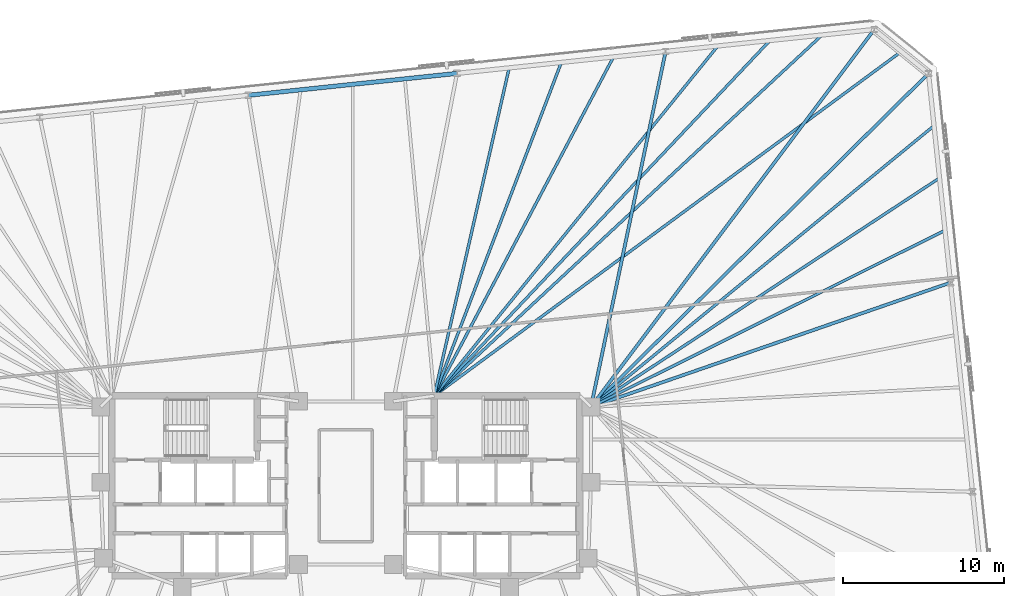
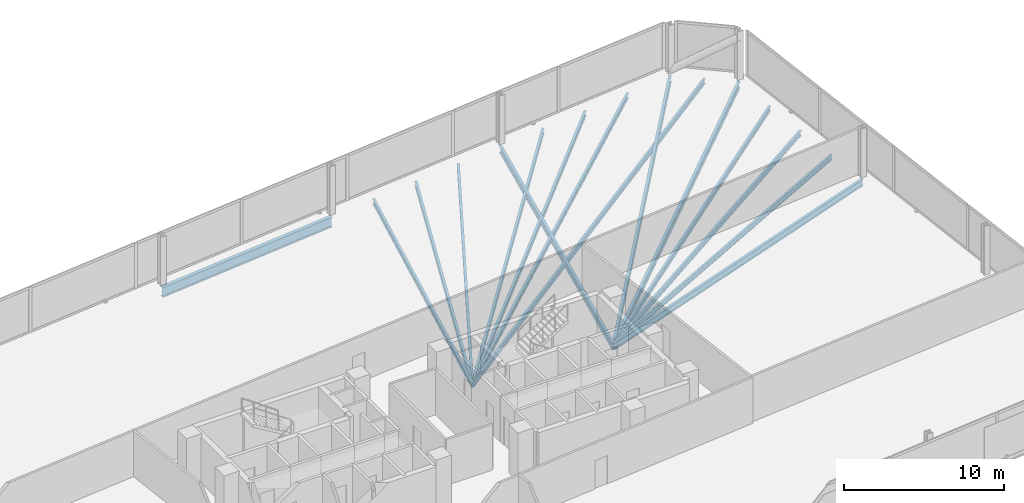
# One storey, part 10 of 17: 15 beams.
"""IFC4 building model written with IfcOpenShell, lengths in metres."""

from ifc_helpers import new_model, si_unit, direction, frame, origin, origin_2d, place, context, subcontext, project, spatial, i_section, extrude, material, material_profile, profile_set, type_object, element, save


model = new_model("IFC4")

# Units and contexts
model_context = context("Model", 3, precision=1e-05, world=origin(), true_north=direction((0.0, 1.0)))
body_context = subcontext(model_context, "Body", "Model", "MODEL_VIEW")
ifc_project = project(units=[si_unit("LENGTHUNIT", "METRE"), si_unit("AREAUNIT", "SQUARE_METRE"), si_unit("VOLUMEUNIT", "CUBIC_METRE"), si_unit("PLANEANGLEUNIT", "RADIAN"), si_unit("MASSUNIT", "GRAM", prefix="KILO")], contexts=[model_context])

# Site, building, storey
site_placement = place(None, origin())
site = spatial("IfcSite", under=ifc_project, at=site_placement, CompositionType="ELEMENT")
building_placement = place(site_placement, origin())
building = spatial("IfcBuilding", under=site, at=building_placement, Name="Menara Jurai Vektor", CompositionType="ELEMENT")
storey_placement = place(building_placement, frame((0.0, 0.0, 87.39990234375)))
storey = spatial("IfcBuildingStorey", under=building, at=storey_placement, Name="L21", CompositionType="ELEMENT", Elevation=87.39990234375)

# Beams
ifc_material_1 = material(Name="Steel S355", Category="steel")
ifc_material_profile_1 = material_profile(ifc_material_1, i_section(OverallWidth=0.199951171875, OverallDepth=0.5, WebThickness=0.011962890625, FlangeThickness=0.02001953125, at=origin_2d()), Name="PG 500x200x96")
ifc_profile_set_1 = profile_set([ifc_material_profile_1], Name="Steel S355")
beam_type_1 = type_object("IfcBeamType", Name="STR-BM-500", PredefinedType="BEAM", material=ifc_profile_set_1)
beam_1_placement = place(storey_placement, frame((37.62060546875, 12.638427734375, -0.474853515625), z_axis=(-0.945053249867, -0.326916434148, 0.0), x_axis=(0.326916434148, -0.945053249867, 0.0)))
element("IfcBeam", 1, at=beam_1_placement, inside=storey, type_object=beam_type_1, Name="Radial Floor Girder L21-E3", PredefinedType="BEAM", context=body_context, shape_type="SweptSolid", body=[
    extrude(i_section(OverallWidth=0.199951171875, OverallDepth=0.5, WebThickness=0.011962890625, FlangeThickness=0.02001953125, at=origin_2d()), origin(), (0.0, 0.0, 1.0), 23.671142578125),
])
beam_2_placement = place(storey_placement, frame((36.252685546875, 25.652099609375, -0.474853515625), z_axis=(-0.711335927547, -0.702852188004, 0.0), x_axis=(0.702852188004, -0.711335927547, 0.0)))
element("IfcBeam", 2, at=beam_2_placement, inside=storey, type_object=beam_type_1, Name="Radial Floor Girder L21-E4", PredefinedType="BEAM", context=body_context, shape_type="SweptSolid", body=[
    extrude(i_section(OverallWidth=0.199951171875, OverallDepth=0.5, WebThickness=0.011962890625, FlangeThickness=0.02001953125, at=origin_2d()), origin(), (0.0, 0.0, 1.0), 29.525634765625),
])
beam_3_placement = place(storey_placement, frame((32.876220703125, 28.38623046875, -0.474853515625), z_axis=(-0.600250057552, -0.799812395758, 0.0), x_axis=(0.799812395758, -0.600250057552, 0.0)))
element("IfcBeam", 3, at=beam_3_placement, inside=storey, type_object=beam_type_1, Name="Radial Floor Girder L21-N1", PredefinedType="BEAM", context=body_context, shape_type="SweptSolid", body=[
    extrude(i_section(OverallWidth=0.199951171875, OverallDepth=0.5, WebThickness=0.011962890625, FlangeThickness=0.02001953125, at=origin_2d()), origin(), (0.0, 0.0, 1.0), 29.36474609375),
])
beam_4_placement = place(storey_placement, frame((19.896728515625, 27.02197265625, -0.474853515625), z_axis=(-0.205563576063, -0.978643763683, 0.0), x_axis=(0.978643763683, -0.205563576063, 0.0)))
element("IfcBeam", 4, at=beam_4_placement, inside=storey, type_object=beam_type_1, Name="Radial Floor Girder L21-N2", PredefinedType="BEAM", context=body_context, shape_type="SweptSolid", body=[
    extrude(i_section(OverallWidth=0.199951171875, OverallDepth=0.5, WebThickness=0.011962890625, FlangeThickness=0.02001953125, at=origin_2d()), origin(), (0.0, 0.0, 1.0), 22.604736328125),
])
ifc_material_profile_2 = material_profile(ifc_material_1, i_section(OverallWidth=0.175048828125, OverallDepth=0.3798828125, WebThickness=0.010009765625, FlangeThickness=0.014892578125, at=origin_2d()), Name="PG 380x175x58")
ifc_profile_set_2 = profile_set([ifc_material_profile_2], Name="Steel S355")
beam_type_2 = type_object("IfcBeamType", Name="STR-JS-380", PredefinedType="JOIST", material=ifc_profile_set_2)
beam_5_placement = place(storey_placement, frame((37.278564453125, 15.891845703125, -0.414794921875), z_axis=(-0.894789854106, -0.446487532849, 0.0), x_axis=(0.446487532849, -0.894789854106, 0.0)))
element("IfcBeam", 5, at=beam_5_placement, inside=storey, type_object=beam_type_2, Name="Radial Secondary Floor Joist L21-JS16", PredefinedType="JOIST", context=body_context, shape_type="SweptSolid", body=[
    extrude(i_section(OverallWidth=0.175048828125, OverallDepth=0.3798828125, WebThickness=0.010009765625, FlangeThickness=0.014892578125, at=origin_2d()), origin(), (0.0, 0.0, 1.0), 24.61865234375),
])
beam_6_placement = place(storey_placement, frame((36.936767578125, 19.145263671875, -0.414794921875), z_axis=(-0.835810585743, -0.549017909326, 0.0), x_axis=(0.549017909326, -0.835810585743, 0.0)))
element("IfcBeam", 6, at=beam_6_placement, inside=storey, type_object=beam_type_2, Name="Radial Secondary Floor Joist L21-JS17", PredefinedType="JOIST", context=body_context, shape_type="SweptSolid", body=[
    extrude(i_section(OverallWidth=0.175048828125, OverallDepth=0.3798828125, WebThickness=0.010009765625, FlangeThickness=0.014892578125, at=origin_2d()), origin(), (0.0, 0.0, 1.0), 25.947021484375),
])
beam_7_placement = place(storey_placement, frame((36.5947265625, 22.398681640625, -0.414794921875), z_axis=(-0.773337004811, -0.63399517111, 0.0), x_axis=(0.63399517111, -0.773337004811, 0.0)))
element("IfcBeam", 7, at=beam_7_placement, inside=storey, type_object=beam_type_2, Name="Radial Secondary Floor Joist L21-JS18", PredefinedType="JOIST", context=body_context, shape_type="SweptSolid", body=[
    extrude(i_section(OverallWidth=0.175048828125, OverallDepth=0.3798828125, WebThickness=0.010009765625, FlangeThickness=0.014892578125, at=origin_2d()), origin(), (0.0, 0.0, 1.0), 27.600830078125),
])
beam_8_placement = place(storey_placement, frame((34.564453125, 27.01904296875, -0.414794921875), z_axis=(-0.805015724179, -0.593253473504, 0.0), x_axis=(0.593253473504, -0.805015724179, 0.0)))
element("IfcBeam", 8, at=beam_8_placement, inside=storey, type_object=beam_type_2, Name="Radial Secondary Floor Joist L21-JS19", PredefinedType="JOIST", context=body_context, shape_type="SweptSolid", body=[
    extrude(i_section(OverallWidth=0.175048828125, OverallDepth=0.3798828125, WebThickness=0.010009765625, FlangeThickness=0.014892578125, at=origin_2d()), origin(), (0.0, 0.0, 1.0), 36.104248046875),
])
beam_9_placement = place(storey_placement, frame((29.63134765625, 28.045166015625, -0.414794921875), z_axis=(-0.732227546694, -0.681060070671, 0.0), x_axis=(0.681060070671, -0.732227546694, 0.0)))
element("IfcBeam", 9, at=beam_9_placement, inside=storey, type_object=beam_type_2, Name="Radial Secondary Floor Joist L21-JS20", PredefinedType="JOIST", context=body_context, shape_type="SweptSolid", body=[
    extrude(i_section(OverallWidth=0.175048828125, OverallDepth=0.3798828125, WebThickness=0.010009765625, FlangeThickness=0.014892578125, at=origin_2d()), origin(), (0.0, 0.0, 1.0), 32.9560546875),
])
beam_10_placement = place(storey_placement, frame((26.386474609375, 27.7041015625, -0.414794921875), z_axis=(-0.686805497462, -0.726841254096, 0.0), x_axis=(0.726841254096, -0.686805497462, 0.0)))
element("IfcBeam", 10, at=beam_10_placement, inside=storey, type_object=beam_type_2, Name="Radial Secondary Floor Joist L21-JS21", PredefinedType="JOIST", context=body_context, shape_type="SweptSolid", body=[
    extrude(i_section(OverallWidth=0.175048828125, OverallDepth=0.3798828125, WebThickness=0.010009765625, FlangeThickness=0.014892578125, at=origin_2d()), origin(), (0.0, 0.0, 1.0), 30.4111328125),
])
beam_11_placement = place(storey_placement, frame((23.1416015625, 27.363037109375, -0.414794921875), z_axis=(-0.629715269624, -0.776826028917, 0.0), x_axis=(0.776826028917, -0.629715269624, 0.0)))
element("IfcBeam", 11, at=beam_11_placement, inside=storey, type_object=beam_type_2, Name="Radial Secondary Floor Joist L21-JS22", PredefinedType="JOIST", context=body_context, shape_type="SweptSolid", body=[
    extrude(i_section(OverallWidth=0.175048828125, OverallDepth=0.3798828125, WebThickness=0.010009765625, FlangeThickness=0.014892578125, at=origin_2d()), origin(), (0.0, 0.0, 1.0), 28.01513671875),
])
beam_12_placement = place(storey_placement, frame((16.651611328125, 26.680908203125, -0.414794921875), z_axis=(-0.467598899237, -0.883940761268, 0.0), x_axis=(0.883940761268, -0.467598899237, 0.0)))
element("IfcBeam", 12, at=beam_12_placement, inside=storey, type_object=beam_type_2, Name="Radial Secondary Floor Joist L21-JS23", PredefinedType="JOIST", context=body_context, shape_type="SweptSolid", body=[
    extrude(i_section(OverallWidth=0.175048828125, OverallDepth=0.3798828125, WebThickness=0.010009765625, FlangeThickness=0.014892578125, at=origin_2d()), origin(), (0.0, 0.0, 1.0), 23.8486328125),
])
beam_13_placement = place(storey_placement, frame((13.40673828125, 26.33984375, -0.414794921875), z_axis=(-0.3562267616, -0.934399536772, 0.0), x_axis=(0.934399536772, -0.3562267616, 0.0)))
element("IfcBeam", 13, at=beam_13_placement, inside=storey, type_object=beam_type_2, Name="Radial Secondary Floor Joist L21-JS24", PredefinedType="JOIST", context=body_context, shape_type="SweptSolid", body=[
    extrude(i_section(OverallWidth=0.175048828125, OverallDepth=0.3798828125, WebThickness=0.010009765625, FlangeThickness=0.014892578125, at=origin_2d()), origin(), (0.0, 0.0, 1.0), 22.19580078125),
])
beam_14_placement = place(storey_placement, frame((10.161865234375, 25.998779296875, -0.414794921875), z_axis=(-0.222793437271, -0.974865675008, 0.0), x_axis=(0.974865675008, -0.222793437271, 0.0)))
element("IfcBeam", 14, at=beam_14_placement, inside=storey, type_object=beam_type_2, Name="Radial Secondary Floor Joist L21-JS25", PredefinedType="JOIST", context=body_context, shape_type="SweptSolid", body=[
    extrude(i_section(OverallWidth=0.175048828125, OverallDepth=0.3798828125, WebThickness=0.010009765625, FlangeThickness=0.014892578125, at=origin_2d()), origin(), (0.0, 0.0, 1.0), 20.924560546875),
])
ifc_material_2 = material(Name="Steel S460", Category="steel")
ifc_material_profile_3 = material_profile(ifc_material_2, i_section(OverallWidth=0.26806640625, OverallDepth=0.77001953125, WebThickness=0.01611328125, FlangeThickness=0.02490234375, FilletRadius=0.01708984375, at=origin_2d()), Name="UKB 762x267x197")
ifc_profile_set_3 = profile_set([ifc_material_profile_3], Name="Steel S460")
beam_type_3 = type_object("IfcBeamType", Name="STR-SP-762", PredefinedType="SPANDREL", material=ifc_profile_set_3)
beam_15_placement = place(storey_placement, frame((6.9169921875, 25.65771484375, -0.60986328125), z_axis=(-0.994521431679, -0.104532874882, 0.0), x_axis=(0.104532874882, -0.994521431679, 0.0)))
element("IfcBeam", 15, at=beam_15_placement, inside=storey, type_object=beam_type_3, Name="Exoskeleton Spandrel Beam L21-13", PredefinedType="SPANDREL", context=body_context, shape_type="SweptSolid", body=[
    extrude(i_section(OverallWidth=0.26806640625, OverallDepth=0.77001953125, WebThickness=0.01611328125, FlangeThickness=0.02490234375, FilletRadius=0.01708984375, at=origin_2d()), origin(), (0.0, 0.0, 1.0), 13.051025390625),
])

save(model, "model.ifc")
